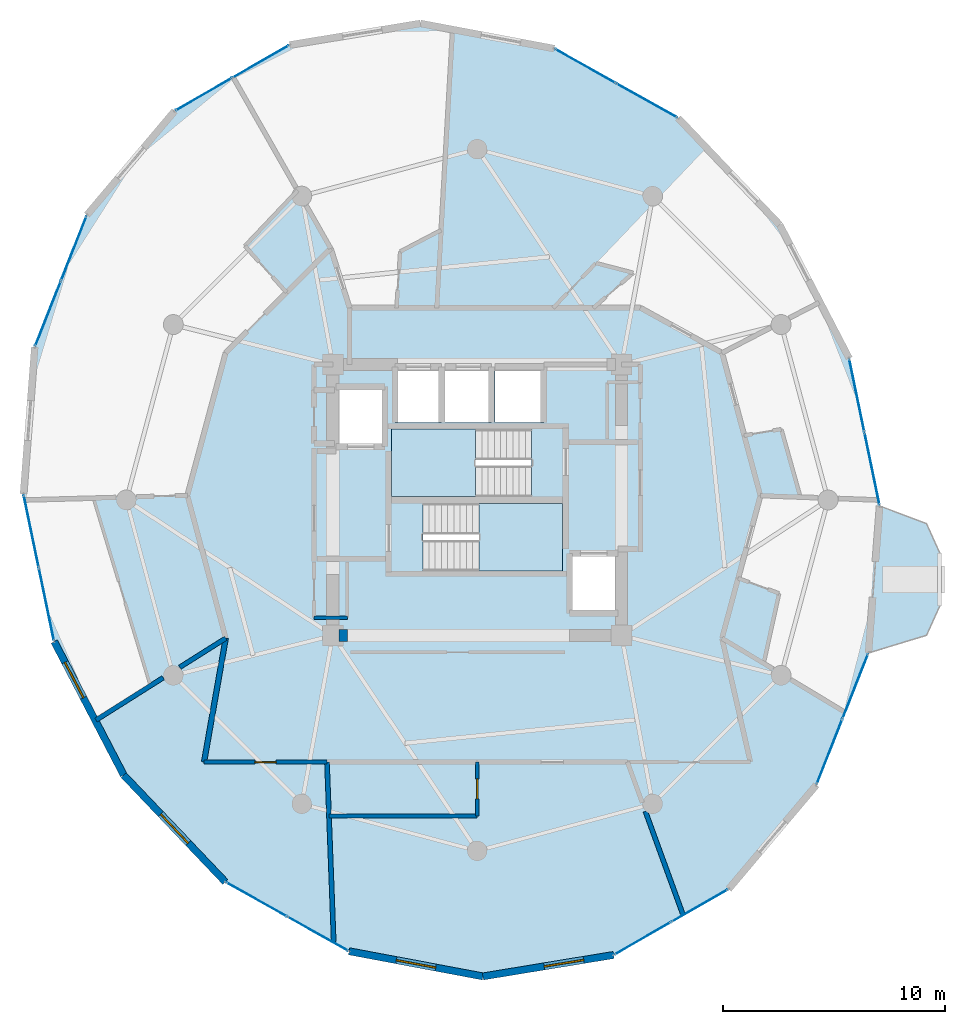
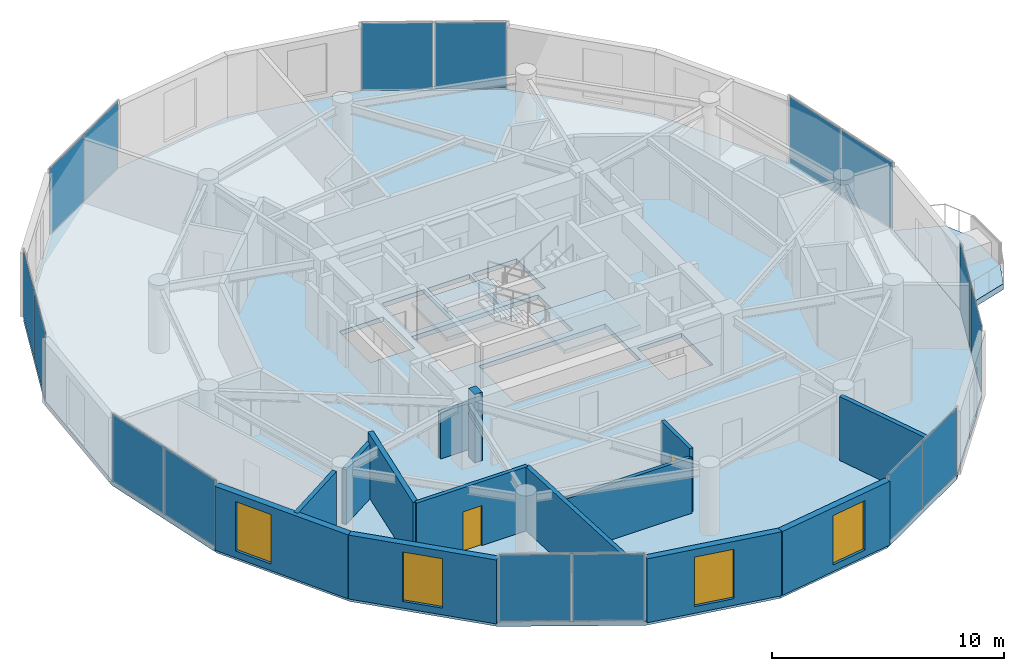
# One storey, part 16 of 21: 16 plates, 14 walls, 4 slabs, 4 windows, 2 doors, 6 openings, 10 elements without a shape of their own.
"""IFC4 building model written with IfcOpenShell, lengths in metres."""

from ifc_helpers import new_model, si_unit, direction, frame, frame_2d, origin, origin_2d, place, context, subcontext, project, spatial, polyline, rectangle, outline, extrude, source, transform, mapped, material, layer, layer_set, type_object, element, fill, aggregate, save


model = new_model("IFC4")

# Units and contexts
model_context = context("Model", 3, precision=1e-05, world=origin(), true_north=direction((0.0, 1.0)))
body_context = subcontext(model_context, "Body", "Model", "MODEL_VIEW")
ifc_project = project(units=[si_unit("LENGTHUNIT", "METRE"), si_unit("AREAUNIT", "SQUARE_METRE"), si_unit("VOLUMEUNIT", "CUBIC_METRE"), si_unit("PLANEANGLEUNIT", "RADIAN"), si_unit("MASSUNIT", "GRAM", prefix="KILO")], contexts=[model_context])

# Site, building, storey
site_placement = place(None, origin())
site = spatial("IfcSite", under=ifc_project, at=site_placement, CompositionType="ELEMENT")
building_placement = place(site_placement, origin())
building = spatial("IfcBuilding", under=site, at=building_placement, Name="Solvirekh Grand Hotel", CompositionType="ELEMENT")
storey_placement = place(building_placement, frame((0.0, 0.0, 220.0)))
storey = spatial("IfcBuildingStorey", under=building, at=storey_placement, Name="L57", CompositionType="ELEMENT", Elevation=220.0)

# Slab
ifc_material_1 = material(Name="Concrete C50/60", Category="concrete")
ifc_layer_1 = layer(ifc_material_1, 0.31005859375)
ifc_layer_set_1 = layer_set([ifc_layer_1], Name="Concrete C50/60")
slab_type_1 = type_object("IfcSlabType", Name="ExtHornSkyGarden_310", PredefinedType="FLOOR", material=ifc_layer_set_1)
slab_1_placement = place(storey_placement, frame((0.0, 0.0, -0.31005859375)))
element("IfcSlab", 1, at=slab_1_placement, inside=storey, type_object=slab_type_1, Name="L57 east horn sky-garden deck", PredefinedType="FLOOR", context=body_context, shape_type="SweptSolid", body=[
    extrude(outline(polyline([(18.1279296875, -0.27001953125), (17.618896484375, -6.886962890625), (20.22802734375, -6.093017578125), (20.827880859375, -4.77001953125), (20.827880859375, -2.386962890625), (20.22802734375, -1.06396484375), (18.1279296875, -0.27001953125)])), origin(), (0.0, 0.0, 1.0), 0.31005859375),
])

# Stair, slab
ifc_material_2 = material(Name="Concrete C40/50", Category="concrete")
stair_type = type_object("IfcStairType", Name="Stair_Core_1450", PredefinedType="HALF_TURN_STAIR", material=ifc_material_2)
stair_1_placement = place(storey_placement, origin())
stair_1 = element("IfcStair", 2, at=stair_1_placement, inside=storey, type_object=stair_type, Name="L57 Enclosed exit stair ST-1", PredefinedType="HALF_TURN_STAIR")
ifc_layer_2 = layer(ifc_material_2, 0.199951171875)
ifc_layer_set_2 = layer_set([ifc_layer_2], Name="Concrete C40/50")
slab_type_2 = type_object("IfcSlabType", Name="Landing_Stair_200", PredefinedType="LANDING", material=ifc_layer_set_2)
slab_2_placement = place(storey_placement, frame((0.0, 0.0, 1.60009765625)))
slab_2 = element("IfcSlab", 3, at=slab_2_placement, type_object=slab_type_2, Name="ST-1 landing 1", PredefinedType="LANDING", context=body_context, shape_type="SweptSolid", body=[
    extrude(outline(polyline([(0.070068359375, -3.199951171875), (3.85009765625, -3.199951171875), (3.85009765625, -0.14990234375), (0.070068359375, -0.14990234375), (0.070068359375, -3.199951171875)])), origin(), (0.0, 0.0, 1.0), 0.199951171875),
])
aggregate(stair_1, [slab_2])

stair_2_placement = place(storey_placement, origin())
stair_2 = element("IfcStair", 4, at=stair_2_placement, inside=storey, type_object=stair_type, Name="L57 Enclosed exit stair ST-2", PredefinedType="HALF_TURN_STAIR")
slab_3_placement = place(storey_placement, frame((0.0, 0.0, 1.60009765625)))
slab_3 = element("IfcSlab", 5, at=slab_3_placement, type_object=slab_type_2, Name="ST-2 landing 1", PredefinedType="LANDING", context=body_context, shape_type="SweptSolid", body=[
    extrude(outline(polyline([(-0.070068359375, 3.199951171875), (-3.85009765625, 3.199951171875), (-3.85009765625, 0.14990234375), (-0.070068359375, 0.14990234375), (-0.070068359375, 3.199951171875)])), origin(), (0.0, 0.0, 1.0), 0.199951171875),
])
aggregate(stair_2, [slab_3])

# Slab
ifc_layer_3 = layer(ifc_material_2, 0.239990234375)
ifc_layer_set_3 = layer_set([ifc_layer_3], Name="Concrete C40/50")
slab_type_3 = type_object("IfcSlabType", Name="Slab_GuestZ3_240", PredefinedType="FLOOR", material=ifc_layer_set_3)
slab_4_placement = place(storey_placement, frame((0.0, 0.0, -0.239990234375)))
element("IfcSlab", 6, at=slab_4_placement, inside=storey, type_object=slab_type_3, Name="L57 structural floor slab", PredefinedType="FLOOR", context=body_context, shape_type="SweptSolid", body=[
    extrude(outline(polyline([(6.14599609375, -20.489990234375), (11.320068359375, -17.51708984375), (15.27294921875, -12.830078125), (17.618896484375, -6.886962890625), (18.1279296875, -0.27001953125), (16.7490234375, 6.3740234375), (13.617919921875, 12.39306640625), (9.0419921875, 17.199951171875), (3.468017578125, 20.322998046875), (-2.55810546875, 21.4560546875), (-8.446044921875, 20.489990234375), (-13.6201171875, 17.51708984375), (-17.572998046875, 12.830078125), (-19.9189453125, 6.886962890625), (-20.427978515625, 0.27001953125), (-19.049072265625, -6.3740234375), (-15.91796875, -12.39306640625), (-11.342041015625, -17.199951171875), (-5.76806640625, -20.322998046875), (0.258056640625, -21.4560546875), (6.14599609375, -20.489990234375)]), holes=[polyline([(-2.444091796875, -0.14990234375), (3.85009765625, -0.14990234375), (3.85009765625, -3.199951171875), (-2.444091796875, -3.199951171875), (-2.444091796875, -0.14990234375)]), polyline([(2.444091796875, 0.14990234375), (-3.85009765625, 0.14990234375), (-3.85009765625, 3.199951171875), (2.444091796875, 3.199951171875), (2.444091796875, 0.14990234375)]), polyline([(-3.699951171875, 6.0), (-1.60009765625, 6.0), (-1.60009765625, 3.5), (-3.699951171875, 3.5), (-3.699951171875, 6.0)]), polyline([(-1.449951171875, 6.0), (0.64990234375, 6.0), (0.64990234375, 3.5), (-1.449951171875, 3.5), (-1.449951171875, 6.0)]), polyline([(0.800048828125, 6.0), (3.0, 6.0), (3.0, 3.5), (0.800048828125, 3.5), (0.800048828125, 6.0)]), polyline([(-6.35009765625, 5.10009765625), (-4.14990234375, 5.10009765625), (-4.14990234375, 2.39990234375), (-6.35009765625, 2.39990234375), (-6.35009765625, 5.10009765625)]), polyline([(4.14990234375, -2.39990234375), (6.35009765625, -2.39990234375), (6.35009765625, -5.10009765625), (4.14990234375, -5.10009765625), (4.14990234375, -2.39990234375)])]), origin(), (0.0, 0.0, 1.0), 0.239990234375),
])

# Curtain wall, plates
ifc_material_3 = material(Name="Anodized Bronze Aluminium 6063-T6", Category="aluminium")
ifc_layer_4 = layer(ifc_material_3, 0.159912109375)
ifc_layer_set_4 = layer_set([ifc_layer_4], Name="Anodized Bronze Aluminium 6063-T6")
curtain_wall_type = type_object("IfcCurtainWallType", Name="CW_Sys4_HighZoneFlushBronzeCW", PredefinedType="NOTDEFINED", material=ifc_layer_set_4)
curtain_wall_1_placement = place(storey_placement, origin())
curtain_wall_1 = element("IfcCurtainWall", 7, at=curtain_wall_1_placement, inside=storey, type_object=curtain_wall_type, Name="L57 unitised bronze-glass curtain wall CW-L57-C03", PredefinedType="NOTDEFINED")
ifc_material_4 = material(Name="Low-E Tinted Bronze Laminated Glass", Category="aluminium")
ifc_layer_5 = layer(ifc_material_4, 0.033935546875)
ifc_layer_set_5 = layer_set([ifc_layer_5], Name="Low-E Tinted Bronze Laminated Glass")
plate_type = type_object("IfcPlateType", Name="CWPanel_High_34", PredefinedType="CURTAIN_PANEL", material=ifc_layer_set_5)
shared_shape_1 = source(origin(), body_context, "Body", "SweptSolid", [
    extrude(rectangle(XDim=3.104736328125, YDim=0.033935546875, at=origin_2d()), origin(), (0.0, 0.0, 1.0), 3.489990234375),
])
plate_1_placement = place(storey_placement, frame((15.864990234375, -11.330322265625, 0.05517578125), z_axis=(0.0, 0.0, 1.0), x_axis=(0.367177225165, 0.930151001354, 0.0)))
plate_1 = element("IfcPlate", 8, at=plate_1_placement, type_object=plate_type, Name="U04 panel 1.1", PredefinedType="CURTAIN_PANEL", context=body_context, shape_type="MappedRepresentation", body=[
    mapped(shared_shape_1, transform((0.0, 0.0, 0.0), x_axis=(1.0, 0.0, 0.0), y_axis=(0.0, 1.0, 0.0), z_axis=(0.0, 0.0, 1.0), scale=1.0)),
])
plate_2_placement = place(storey_placement, frame((17.027099609375, -8.38671875, 0.05517578125), z_axis=(0.0, 0.0, 1.0), x_axis=(0.367177225165, 0.930151001354, 0.0)))
plate_2 = element("IfcPlate", 9, at=plate_2_placement, type_object=plate_type, Name="U04 panel 2.1", PredefinedType="CURTAIN_PANEL", context=body_context, shape_type="MappedRepresentation", body=[
    mapped(shared_shape_1, transform((0.0, 0.0, 0.0), x_axis=(1.0, 0.0, 0.0), y_axis=(0.0, 1.0, 0.0), z_axis=(0.0, 0.0, 1.0), scale=1.0)),
])
aggregate(curtain_wall_1, [plate_1, plate_2])

curtain_wall_2_placement = place(storey_placement, origin())
curtain_wall_2 = element("IfcCurtainWall", 10, at=curtain_wall_2_placement, inside=storey, type_object=curtain_wall_type, Name="L57 unitised bronze-glass curtain wall CW-L57-C08", PredefinedType="NOTDEFINED")
plate_3_placement = place(storey_placement, frame((7.635498046875, 17.988037109375, 0.05517578125), z_axis=(0.0, 0.0, 1.0), x_axis=(-0.87240190852, 0.488789228615, 0.0)))
plate_3 = element("IfcPlate", 11, at=plate_3_placement, type_object=plate_type, Name="U04 panel 1.1", PredefinedType="CURTAIN_PANEL", context=body_context, shape_type="MappedRepresentation", body=[
    mapped(shared_shape_1, transform((0.0, 0.0, 0.0), x_axis=(1.0, 0.0, 0.0), y_axis=(0.0, 1.0, 0.0), z_axis=(0.0, 0.0, 1.0), scale=1.0)),
])
plate_4_placement = place(storey_placement, frame((4.87451171875, 19.534912109375, 0.05517578125), z_axis=(0.0, 0.0, 1.0), x_axis=(-0.87240190852, 0.488789228615, 0.0)))
plate_4 = element("IfcPlate", 12, at=plate_4_placement, type_object=plate_type, Name="U04 panel 2.1", PredefinedType="CURTAIN_PANEL", context=body_context, shape_type="MappedRepresentation", body=[
    mapped(shared_shape_1, transform((0.0, 0.0, 0.0), x_axis=(1.0, 0.0, 0.0), y_axis=(0.0, 1.0, 0.0), z_axis=(0.0, 0.0, 1.0), scale=1.0)),
])
aggregate(curtain_wall_2, [plate_3, plate_4])

curtain_wall_3_placement = place(storey_placement, origin())
curtain_wall_3 = element("IfcCurtainWall", 13, at=curtain_wall_3_placement, inside=storey, type_object=curtain_wall_type, Name="L57 unitised bronze-glass curtain wall CW-L57-C13", PredefinedType="NOTDEFINED")
plate_5_placement = place(storey_placement, frame((-18.1650390625, 11.330322265625, 0.05517578125), z_axis=(0.0, 0.0, 1.0), x_axis=(-0.367177225165, -0.930151001354, 0.0)))
plate_5 = element("IfcPlate", 14, at=plate_5_placement, type_object=plate_type, Name="U04 panel 1.1", PredefinedType="CURTAIN_PANEL", context=body_context, shape_type="MappedRepresentation", body=[
    mapped(shared_shape_1, transform((0.0, 0.0, 0.0), x_axis=(1.0, 0.0, 0.0), y_axis=(0.0, 1.0, 0.0), z_axis=(0.0, 0.0, 1.0), scale=1.0)),
])
plate_6_placement = place(storey_placement, frame((-19.326904296875, 8.38671875, 0.05517578125), z_axis=(0.0, 0.0, 1.0), x_axis=(-0.367177225165, -0.930151001354, 0.0)))
plate_6 = element("IfcPlate", 15, at=plate_6_placement, type_object=plate_type, Name="U04 panel 2.1", PredefinedType="CURTAIN_PANEL", context=body_context, shape_type="MappedRepresentation", body=[
    mapped(shared_shape_1, transform((0.0, 0.0, 0.0), x_axis=(1.0, 0.0, 0.0), y_axis=(0.0, 1.0, 0.0), z_axis=(0.0, 0.0, 1.0), scale=1.0)),
])
aggregate(curtain_wall_3, [plate_5, plate_6])

curtain_wall_4_placement = place(storey_placement, origin())
curtain_wall_4 = element("IfcCurtainWall", 16, at=curtain_wall_4_placement, inside=storey, type_object=curtain_wall_type, Name="L57 unitised bronze-glass curtain wall CW-L57-C18", PredefinedType="NOTDEFINED")
plate_7_placement = place(storey_placement, frame((-9.935302734375, -17.988037109375, 0.05517578125), z_axis=(0.0, 0.0, 1.0), x_axis=(0.87240190852, -0.488789228615, 0.0)))
plate_7 = element("IfcPlate", 17, at=plate_7_placement, type_object=plate_type, Name="U04 panel 1.1", PredefinedType="CURTAIN_PANEL", context=body_context, shape_type="MappedRepresentation", body=[
    mapped(shared_shape_1, transform((0.0, 0.0, 0.0), x_axis=(1.0, 0.0, 0.0), y_axis=(0.0, 1.0, 0.0), z_axis=(0.0, 0.0, 1.0), scale=1.0)),
])
plate_8_placement = place(storey_placement, frame((-7.174560546875, -19.534912109375, 0.05517578125), z_axis=(0.0, 0.0, 1.0), x_axis=(0.87240190852, -0.488789228615, 0.0)))
plate_8 = element("IfcPlate", 18, at=plate_8_placement, type_object=plate_type, Name="U04 panel 2.1", PredefinedType="CURTAIN_PANEL", context=body_context, shape_type="MappedRepresentation", body=[
    mapped(shared_shape_1, transform((0.0, 0.0, 0.0), x_axis=(1.0, 0.0, 0.0), y_axis=(0.0, 1.0, 0.0), z_axis=(0.0, 0.0, 1.0), scale=1.0)),
])
aggregate(curtain_wall_4, [plate_7, plate_8])

curtain_wall_5_placement = place(storey_placement, origin())
curtain_wall_5 = element("IfcCurtainWall", 19, at=curtain_wall_5_placement, inside=storey, type_object=curtain_wall_type, Name="L57 unitised bronze-glass curtain wall CW-L57-C01", PredefinedType="NOTDEFINED")
shared_shape_2 = source(origin(), body_context, "Body", "SweptSolid", [
    extrude(rectangle(XDim=2.8935546875, YDim=0.033935546875, at=origin_2d()), origin(), (0.0, 0.0, 1.0), 3.489990234375),
])
plate_9_placement = place(storey_placement, frame((7.452392578125, -19.7392578125, 0.05517578125), z_axis=(0.0, 0.0, 1.0), x_axis=(0.867054716632, 0.498212924727, 0.0)))
plate_9 = element("IfcPlate", 20, at=plate_9_placement, type_object=plate_type, Name="U04 panel 1.1", PredefinedType="CURTAIN_PANEL", context=body_context, shape_type="MappedRepresentation", body=[
    mapped(shared_shape_2, transform((0.0, 0.0, 0.0), x_axis=(1.0, 0.0, 0.0), y_axis=(0.0, 1.0, 0.0), z_axis=(0.0, 0.0, 1.0), scale=1.0)),
])
plate_10_placement = place(storey_placement, frame((10.013427734375, -18.267822265625, 0.05517578125), z_axis=(0.0, 0.0, 1.0), x_axis=(0.867054716632, 0.498212924727, 0.0)))
plate_10 = element("IfcPlate", 21, at=plate_10_placement, type_object=plate_type, Name="U04 panel 2.1", PredefinedType="CURTAIN_PANEL", context=body_context, shape_type="MappedRepresentation", body=[
    mapped(shared_shape_2, transform((0.0, 0.0, 0.0), x_axis=(1.0, 0.0, 0.0), y_axis=(0.0, 1.0, 0.0), z_axis=(0.0, 0.0, 1.0), scale=1.0)),
])
aggregate(curtain_wall_5, [plate_9, plate_10])

curtain_wall_6_placement = place(storey_placement, origin())
curtain_wall_6 = element("IfcCurtainWall", 22, at=curtain_wall_6_placement, inside=storey, type_object=curtain_wall_type, Name="L57 unitised bronze-glass curtain wall CW-L57-C11", PredefinedType="NOTDEFINED")
plate_11_placement = place(storey_placement, frame((-9.75244140625, 19.7392578125, 0.05517578125), z_axis=(0.0, 0.0, 1.0), x_axis=(-0.867054716632, -0.498212924727, 0.0)))
plate_11 = element("IfcPlate", 23, at=plate_11_placement, type_object=plate_type, Name="U04 panel 1.1", PredefinedType="CURTAIN_PANEL", context=body_context, shape_type="MappedRepresentation", body=[
    mapped(shared_shape_2, transform((0.0, 0.0, 0.0), x_axis=(1.0, 0.0, 0.0), y_axis=(0.0, 1.0, 0.0), z_axis=(0.0, 0.0, 1.0), scale=1.0)),
])
plate_12_placement = place(storey_placement, frame((-12.3134765625, 18.267822265625, 0.05517578125), z_axis=(0.0, 0.0, 1.0), x_axis=(-0.867054716632, -0.498212924727, 0.0)))
plate_12 = element("IfcPlate", 24, at=plate_12_placement, type_object=plate_type, Name="U04 panel 2.1", PredefinedType="CURTAIN_PANEL", context=body_context, shape_type="MappedRepresentation", body=[
    mapped(shared_shape_2, transform((0.0, 0.0, 0.0), x_axis=(1.0, 0.0, 0.0), y_axis=(0.0, 1.0, 0.0), z_axis=(0.0, 0.0, 1.0), scale=1.0)),
])
aggregate(curtain_wall_6, [plate_11, plate_12])

curtain_wall_7_placement = place(storey_placement, origin())
curtain_wall_7 = element("IfcCurtainWall", 25, at=curtain_wall_7_placement, inside=storey, type_object=curtain_wall_type, Name="L57 unitised bronze-glass curtain wall CW-L57-C05", PredefinedType="NOTDEFINED")
shared_shape_3 = source(origin(), body_context, "Body", "SweptSolid", [
    extrude(rectangle(XDim=3.302734375, YDim=0.033935546875, at=origin_2d()), origin(), (0.0, 0.0, 1.0), 3.489990234375),
])
plate_13_placement = place(storey_placement, frame((17.7802734375, 1.40576171875, 0.05517578125), z_axis=(0.0, 0.0, 1.0), x_axis=(-0.203224454082, 0.979132177626, 0.0)))
plate_13 = element("IfcPlate", 26, at=plate_13_placement, type_object=plate_type, Name="U04 panel 1.1", PredefinedType="CURTAIN_PANEL", context=body_context, shape_type="MappedRepresentation", body=[
    mapped(shared_shape_3, transform((0.0, 0.0, 0.0), x_axis=(1.0, 0.0, 0.0), y_axis=(0.0, 1.0, 0.0), z_axis=(0.0, 0.0, 1.0), scale=1.0)),
])
plate_14_placement = place(storey_placement, frame((17.0966796875, 4.6982421875, 0.05517578125), z_axis=(0.0, 0.0, 1.0), x_axis=(-0.203224454082, 0.979132177626, 0.0)))
plate_14 = element("IfcPlate", 27, at=plate_14_placement, type_object=plate_type, Name="U04 panel 2.1", PredefinedType="CURTAIN_PANEL", context=body_context, shape_type="MappedRepresentation", body=[
    mapped(shared_shape_3, transform((0.0, 0.0, 0.0), x_axis=(1.0, 0.0, 0.0), y_axis=(0.0, 1.0, 0.0), z_axis=(0.0, 0.0, 1.0), scale=1.0)),
])
aggregate(curtain_wall_7, [plate_13, plate_14])

curtain_wall_8_placement = place(storey_placement, origin())
curtain_wall_8 = element("IfcCurtainWall", 28, at=curtain_wall_8_placement, inside=storey, type_object=curtain_wall_type, Name="L57 unitised bronze-glass curtain wall CW-L57-C15", PredefinedType="NOTDEFINED")
plate_15_placement = place(storey_placement, frame((-20.080322265625, -1.40576171875, 0.05517578125), z_axis=(0.0, 0.0, 1.0), x_axis=(0.203224454082, -0.979132177626, 0.0)))
plate_15 = element("IfcPlate", 29, at=plate_15_placement, type_object=plate_type, Name="U04 panel 1.1", PredefinedType="CURTAIN_PANEL", context=body_context, shape_type="MappedRepresentation", body=[
    mapped(shared_shape_3, transform((0.0, 0.0, 0.0), x_axis=(1.0, 0.0, 0.0), y_axis=(0.0, 1.0, 0.0), z_axis=(0.0, 0.0, 1.0), scale=1.0)),
])
plate_16_placement = place(storey_placement, frame((-19.396728515625, -4.6982421875, 0.05517578125), z_axis=(0.0, 0.0, 1.0), x_axis=(0.203224454082, -0.979132177626, 0.0)))
plate_16 = element("IfcPlate", 30, at=plate_16_placement, type_object=plate_type, Name="U04 panel 2.1", PredefinedType="CURTAIN_PANEL", context=body_context, shape_type="MappedRepresentation", body=[
    mapped(shared_shape_3, transform((0.0, 0.0, 0.0), x_axis=(1.0, 0.0, 0.0), y_axis=(0.0, 1.0, 0.0), z_axis=(0.0, 0.0, 1.0), scale=1.0)),
])
aggregate(curtain_wall_8, [plate_15, plate_16])

# Wall
ifc_layer_6 = layer(ifc_material_1, 0.550048828125)
ifc_layer_set_6 = layer_set([ifc_layer_6], Name="Concrete C50/60")
wall_type_1 = type_object("IfcWallType", Name="CoreWall_RC550", PredefinedType="SHEAR", material=ifc_layer_set_6)
wall_1_placement = place(storey_placement, frame((-6.22509765625, -6.10009765625, 0.0), z_axis=(0.0, 0.0, 1.0), x_axis=(1.0, 0.0, 0.0)))
element("IfcWall", 31, at=wall_1_placement, inside=storey, type_object=wall_type_1, Name="L57 core corner shear wall SW-S", PredefinedType="SHEAR", context=body_context, shape_type="SweptSolid", body=[
    extrude(rectangle(XDim=0.375, YDim=0.550048828125, at=frame_2d((0.1875, 0.0))), origin(), (0.0, 0.0, 1.0), 3.60009765625),
])

# Wall, opening, window
ifc_material_5 = material(Name="Precast concrete C45/55", Category="concrete")
ifc_layer_7 = layer(ifc_material_5, 0.320068359375)
ifc_layer_set_7 = layer_set([ifc_layer_7], Name="Precast concrete C45/55")
wall_type_2 = type_object("IfcWallType", Name="ExtLobbyWall_RC320", PredefinedType="SOLIDWALL", material=ifc_layer_set_7)
wall_2_placement = place(storey_placement, frame((-15.91796875, -12.39306640625, 0.0), z_axis=(0.0, 0.0, 1.0), x_axis=(-0.461492088822, 0.887144324197, 0.0)))
wall_2 = element("IfcWall", 32, at=wall_2_placement, inside=storey, type_object=wall_type_2, Name="L57 exterior structural wall chord 16", PredefinedType="SOLIDWALL", context=body_context, shape_type="SweptSolid", body=[
    extrude(rectangle(XDim=6.78466796875, YDim=0.320068359375, at=frame_2d((3.392333984375, 0.0))), origin(), (0.0, 0.0, 1.0), 3.360107421875),
])
opening_1_placement = place(wall_2_placement, frame((3.930908203125, 0.0, 0.35009765625)))
opening_1 = element("IfcOpeningElement", 33, at=opening_1_placement, cuts=wall_2, Name="Opening W02", PredefinedType="OPENING", context=body_context, shape_type="SweptSolid", body=[
    extrude(rectangle(XDim=1.800048828125, YDim=2.60009765625, at=frame_2d((0.89990234375, 1.300048828125))), frame((0.0, 0.169921875, 0.0), z_axis=(0.0, -1.0, 0.0), x_axis=(1.0, 0.0, 0.0)), (0.0, 0.0, 1.0), 0.340087890625),
])
window_type = type_object("IfcWindowType", Name="Win_LobbyExt_1800X2600", PartitioningType="SINGLE_PANEL", PredefinedType="WINDOW", material=ifc_material_4)
window_1_placement = place(opening_1_placement, origin())
window_1 = element("IfcWindow", 34, at=window_1_placement, inside=storey, type_object=window_type, Name="L57 panoramic bronze-framed window 16", OverallHeight=2.60009765625, OverallWidth=1.800048828125, PartitioningType="SINGLE_PANEL", PredefinedType="WINDOW", context=body_context, shape_type="SweptSolid", body=[
    extrude(rectangle(XDim=1.800048828125, YDim=2.60009765625, at=frame_2d((0.89990234375, 1.300048828125))), frame((0.0, 0.030029296875, 0.0), z_axis=(0.0, -1.0, 0.0), x_axis=(1.0, 0.0, 0.0)), (0.0, 0.0, 1.0), 0.06005859375),
])
fill(opening_1, window_1)

wall_3_placement = place(storey_placement, frame((-11.342041015625, -17.199951171875, 0.0), z_axis=(0.0, 0.0, 1.0), x_axis=(-0.689492567569, 0.724292757983, 0.0)))
wall_3 = element("IfcWall", 35, at=wall_3_placement, inside=storey, type_object=wall_type_2, Name="L57 exterior structural wall chord 17", PredefinedType="SOLIDWALL", context=body_context, shape_type="SweptSolid", body=[
    extrude(rectangle(XDim=6.63671875, YDim=0.320068359375, at=frame_2d((3.318359375, 0.0))), origin(), (0.0, 0.0, 1.0), 3.360107421875),
])
opening_2_placement = place(wall_3_placement, frame((2.41796875, 0.0, 0.35009765625)))
opening_2 = element("IfcOpeningElement", 36, at=opening_2_placement, cuts=wall_3, Name="Opening W02", PredefinedType="OPENING", context=body_context, shape_type="SweptSolid", body=[
    extrude(rectangle(XDim=1.800048828125, YDim=2.60009765625, at=frame_2d((0.89990234375, 1.300048828125))), frame((0.0, 0.169921875, 0.0), z_axis=(0.0, -1.0, 0.0), x_axis=(1.0, 0.0, 0.0)), (0.0, 0.0, 1.0), 0.340087890625),
])
window_2_placement = place(opening_2_placement, origin())
window_2 = element("IfcWindow", 37, at=window_2_placement, inside=storey, type_object=window_type, Name="L57 panoramic bronze-framed window 17", OverallHeight=2.60009765625, OverallWidth=1.800048828125, PartitioningType="SINGLE_PANEL", PredefinedType="WINDOW", context=body_context, shape_type="SweptSolid", body=[
    extrude(rectangle(XDim=1.800048828125, YDim=2.60009765625, at=frame_2d((0.89990234375, 1.300048828125))), frame((0.0, 0.030029296875, 0.0), z_axis=(0.0, -1.0, 0.0), x_axis=(1.0, 0.0, 0.0)), (0.0, 0.0, 1.0), 0.06005859375),
])
fill(opening_2, window_2)

wall_4_placement = place(storey_placement, frame((0.258056640625, -21.4560546875, 0.0), z_axis=(0.0, 0.0, 1.0), x_axis=(-0.982778756256, 0.184786136523, 0.0)))
wall_4 = element("IfcWall", 38, at=wall_4_placement, inside=storey, type_object=wall_type_2, Name="L57 exterior structural wall chord 19", PredefinedType="SOLIDWALL", context=body_context, shape_type="SweptSolid", body=[
    extrude(rectangle(XDim=6.1318359375, YDim=0.320068359375, at=frame_2d((3.06591796875, 0.0))), origin(), (0.0, 0.0, 1.0), 3.360107421875),
])
opening_3_placement = place(wall_4_placement, frame((2.166015625, 0.0, 0.35009765625)))
opening_3 = element("IfcOpeningElement", 39, at=opening_3_placement, cuts=wall_4, Name="Opening W02", PredefinedType="OPENING", context=body_context, shape_type="SweptSolid", body=[
    extrude(rectangle(XDim=1.800048828125, YDim=2.60009765625, at=frame_2d((0.89990234375, 1.300048828125))), frame((0.0, 0.169921875, 0.0), z_axis=(0.0, -1.0, 0.0), x_axis=(1.0, 0.0, 0.0)), (0.0, 0.0, 1.0), 0.340087890625),
])
window_3_placement = place(opening_3_placement, origin())
window_3 = element("IfcWindow", 40, at=window_3_placement, inside=storey, type_object=window_type, Name="L57 panoramic bronze-framed window 19", OverallHeight=2.60009765625, OverallWidth=1.800048828125, PartitioningType="SINGLE_PANEL", PredefinedType="WINDOW", context=body_context, shape_type="SweptSolid", body=[
    extrude(rectangle(XDim=1.800048828125, YDim=2.60009765625, at=frame_2d((0.89990234375, 1.300048828125))), frame((0.0, 0.030029296875, 0.0), z_axis=(0.0, -1.0, 0.0), x_axis=(1.0, 0.0, 0.0)), (0.0, 0.0, 1.0), 0.06005859375),
])
fill(opening_3, window_3)

wall_5_placement = place(storey_placement, frame((6.14599609375, -20.489990234375, 0.0), z_axis=(0.0, 0.0, 1.0), x_axis=(-0.986805489114, -0.161910242585, 0.0)))
wall_5 = element("IfcWall", 41, at=wall_5_placement, inside=storey, type_object=wall_type_2, Name="L57 exterior structural wall chord 20", PredefinedType="SOLIDWALL", context=body_context, shape_type="SweptSolid", body=[
    extrude(rectangle(XDim=5.966552734375, YDim=0.320068359375, at=frame_2d((2.9833984375, 0.0))), origin(), (0.0, 0.0, 1.0), 3.360107421875),
])
opening_4_placement = place(wall_5_placement, frame((1.3720703125, 0.0, 0.35009765625)))
opening_4 = element("IfcOpeningElement", 42, at=opening_4_placement, cuts=wall_5, Name="Opening W02", PredefinedType="OPENING", context=body_context, shape_type="SweptSolid", body=[
    extrude(rectangle(XDim=1.800048828125, YDim=2.60009765625, at=frame_2d((0.89990234375, 1.300048828125))), frame((0.0, 0.169921875, 0.0), z_axis=(0.0, -1.0, 0.0), x_axis=(1.0, 0.0, 0.0)), (0.0, 0.0, 1.0), 0.340087890625),
])
window_4_placement = place(opening_4_placement, origin())
window_4 = element("IfcWindow", 43, at=window_4_placement, inside=storey, type_object=window_type, Name="L57 panoramic bronze-framed window 20", OverallHeight=2.60009765625, OverallWidth=1.800048828125, PartitioningType="SINGLE_PANEL", PredefinedType="WINDOW", context=body_context, shape_type="SweptSolid", body=[
    extrude(rectangle(XDim=1.800048828125, YDim=2.60009765625, at=frame_2d((0.89990234375, 1.300048828125))), frame((0.0, 0.030029296875, 0.0), z_axis=(0.0, -1.0, 0.0), x_axis=(1.0, 0.0, 0.0)), (0.0, 0.0, 1.0), 0.06005859375),
])
fill(opening_4, window_4)

# Walls
ifc_material_6 = material(Name="Acoustic Gypsum Partition Assembly")
ifc_layer_8 = layer(ifc_material_6, 0.1650390625)
ifc_layer_set_8 = layer_set([ifc_layer_8], Name="Acoustic Gypsum Partition Assembly")
wall_type_3 = type_object("IfcWallType", Name="Part_BOH_165", PredefinedType="PARTITIONING", material=ifc_layer_set_8)
wall_6_placement = place(storey_placement, frame((-7.35009765625, -5.300048828125, 0.0), z_axis=(0.0, 0.0, 1.0), x_axis=(1.0, 0.0, 0.0)))
element("IfcWall", 44, at=wall_6_placement, inside=storey, type_object=wall_type_3, Name="L57 L57 Core Linen Store wall 1", PredefinedType="PARTITIONING", context=body_context, shape_type="SweptSolid", body=[
    extrude(rectangle(XDim=1.5, YDim=0.1650390625, at=frame_2d((0.75, 0.0))), origin(), (0.0, 0.0, 1.0), 2.445068359375),
])
ifc_layer_9 = layer(ifc_material_6, 0.239990234375)
ifc_layer_set_9 = layer_set([ifc_layer_9], Name="Acoustic Gypsum Partition Assembly")
wall_type_4 = type_object("IfcWallType", Name="Part_Corridor_240", PredefinedType="PARTITIONING", material=ifc_layer_set_9)
wall_7_placement = place(storey_placement, frame((-11.322021484375, -6.22509765625, 0.0), z_axis=(0.0, 0.0, 1.0), x_axis=(-0.172793604918, -0.984958054995, 0.0)))
element("IfcWall", 45, at=wall_7_placement, inside=storey, type_object=wall_type_4, Name="L57 L57 Meditation Studio corridor wall 1", PredefinedType="PARTITIONING", context=body_context, shape_type="SweptSolid", body=[
    extrude(rectangle(XDim=5.66015625, YDim=0.239990234375, at=frame_2d((2.830078125, 0.0))), origin(), (0.0, 0.0, 1.0), 3.360107421875),
])

# Wall, opening, door
ifc_layer_10 = layer(ifc_material_6, 0.18994140625)
ifc_layer_set_10 = layer_set([ifc_layer_10], Name="Acoustic Gypsum Partition Assembly")
wall_type_5 = type_object("IfcWallType", Name="Part_GuestDemise_190", PredefinedType="PARTITIONING", material=ifc_layer_set_10)
wall_8_placement = place(storey_placement, frame((-12.300048828125, -11.800048828125, 0.0), z_axis=(0.0, 0.0, 1.0), x_axis=(1.0, 0.0, 0.0)))
wall_8 = element("IfcWall", 46, at=wall_8_placement, inside=storey, type_object=wall_type_5, Name="L57 L57 Meditation Studio entrance wall", PredefinedType="PARTITIONING", context=body_context, shape_type="SweptSolid", body=[
    extrude(rectangle(XDim=5.53515625, YDim=0.18994140625, at=frame_2d((2.767578125, 0.0))), origin(), (0.0, 0.0, 1.0), 3.360107421875),
])
opening_5_placement = place(wall_8_placement, frame((2.29296875, 0.0, 0.0)))
opening_5 = element("IfcOpeningElement", 47, at=opening_5_placement, cuts=wall_8, Name="Opening D10", PredefinedType="OPENING", context=body_context, shape_type="SweptSolid", body=[
    extrude(rectangle(XDim=0.949951171875, YDim=2.10009765625, at=frame_2d((0.47509765625, 1.050048828125))), frame((0.0, 0.10498046875, 0.0), z_axis=(0.0, -1.0, 0.0), x_axis=(1.0, 0.0, 0.0)), (0.0, 0.0, 1.0), 0.2099609375),
])
door_type_1 = type_object("IfcDoorType", Name="Door_RoomInt_950X2100", OperationType="NOTDEFINED", PredefinedType="DOOR", material=ifc_material_3)
door_1_placement = place(opening_5_placement, origin())
door_1 = element("IfcDoor", 48, at=door_1_placement, inside=storey, type_object=door_type_1, Name="L57 L57 Meditation Studio entrance door", OperationType="SINGLE_SWING_LEFT", OverallHeight=2.10009765625, OverallWidth=0.949951171875, PredefinedType="DOOR", context=body_context, shape_type="SweptSolid", body=[
    extrude(rectangle(XDim=0.949951171875, YDim=2.10009765625, at=frame_2d((0.47509765625, 1.050048828125))), frame((0.0, 0.02490234375, 0.0), z_axis=(0.0, -1.0, 0.0), x_axis=(1.0, 0.0, 0.0)), (0.0, 0.0, 1.0), 0.050048828125),
])
fill(opening_5, door_1)

# Walls
ifc_layer_11 = layer(ifc_material_6, 0.2099609375)
ifc_layer_set_11 = layer_set([ifc_layer_11], Name="Acoustic Gypsum Partition Assembly")
wall_type_6 = type_object("IfcWallType", Name="Part_SuiteDemise_210", PredefinedType="PARTITIONING", material=ifc_layer_set_11)
wall_9_placement = place(storey_placement, frame((-11.322021484375, -6.22509765625, 0.0), z_axis=(0.0, 0.0, 1.0), x_axis=(-0.84576610913, -0.533553829194, 0.0)))
element("IfcWall", 49, at=wall_9_placement, inside=storey, type_object=wall_type_6, Name="L57 suite radial wall 8 (A)", PredefinedType="PARTITIONING", context=body_context, shape_type="SweptSolid", body=[
    extrude(rectangle(XDim=2.447509765625, YDim=0.2099609375, at=frame_2d((1.2236328125, 0.0))), origin(), (0.0, 0.0, 1.0), 2.876953125),
])
wall_10_placement = place(storey_placement, frame((-14.14208984375, -8.0029296875, 0.0), z_axis=(0.0, 0.0, 1.0), x_axis=(-0.845772830834, -0.533543174095, 0.0)))
element("IfcWall", 50, at=wall_10_placement, inside=storey, type_object=wall_type_6, Name="L57 suite radial wall 8 (B)", PredefinedType="PARTITIONING", context=body_context, shape_type="SweptSolid", body=[
    extrude(rectangle(XDim=3.57421875, YDim=0.2099609375, at=frame_2d((1.787109375, 0.0))), origin(), (0.0, 0.0, 1.0), 3.360107421875),
])
wall_11_placement = place(storey_placement, frame((-6.764892578125, -11.800048828125, 0.0), z_axis=(0.0, 0.0, 1.0), x_axis=(0.037429988299, -0.999299252464, 0.0)))
element("IfcWall", 51, at=wall_11_placement, inside=storey, type_object=wall_type_6, Name="L57 L57 Meditation Studio dividing partition 1", PredefinedType="PARTITIONING", context=body_context, shape_type="SweptSolid", body=[
    extrude(rectangle(XDim=8.094482421875, YDim=0.2099609375, at=frame_2d((4.04736328125, 0.0))), origin(), (0.0, 0.0, 1.0), 3.360107421875),
])
wall_12_placement = place(storey_placement, frame((7.572998046875, -14.02099609375, 0.0), z_axis=(0.0, 0.0, 1.0), x_axis=(0.342084883254, -0.939669054854, 0.0)))
element("IfcWall", 52, at=wall_12_placement, inside=storey, type_object=wall_type_6, Name="L57 Deluxe Guestroom 5906 dividing partition 1 (B)", PredefinedType="PARTITIONING", context=body_context, shape_type="SweptSolid", body=[
    extrude(rectangle(XDim=4.931640625, YDim=0.2099609375, at=frame_2d((2.4658203125, 0.0))), origin(), (0.0, 0.0, 1.0), 3.360107421875),
])
ifc_layer_12 = layer(ifc_material_6, 0.175048828125)
ifc_layer_set_12 = layer_set([ifc_layer_12], Name="Acoustic Gypsum Partition Assembly")
wall_type_7 = type_object("IfcWallType", Name="Plumb_Ensuite_175", PredefinedType="PLUMBINGWALL", material=ifc_layer_set_12)
wall_13_placement = place(storey_placement, frame((-6.674072265625, -14.22705078125, 0.0), z_axis=(0.0, 0.0, 1.0), x_axis=(1.0, 0.0, 0.0)))
element("IfcWall", 53, at=wall_13_placement, inside=storey, type_object=wall_type_7, Name="L57 En-suite Bathroom 5906 outer plumbing wall", PredefinedType="PLUMBINGWALL", context=body_context, shape_type="SweptSolid", body=[
    extrude(rectangle(XDim=6.674072265625, YDim=0.175048828125, at=frame_2d((3.3369140625, 0.0))), origin(), (0.0, 0.0, 1.0), 2.928955078125),
])

# Wall, opening, door
wall_14_placement = place(storey_placement, frame((0.0, -11.800048828125, 0.0), z_axis=(0.0, 0.0, 1.0), x_axis=(0.0, -1.0, 0.0)))
wall_14 = element("IfcWall", 54, at=wall_14_placement, inside=storey, type_object=wall_type_7, Name="L57 En-suite Bathroom 5906 entry plumbing wall", PredefinedType="PLUMBINGWALL", context=body_context, shape_type="SweptSolid", body=[
    extrude(rectangle(XDim=2.427001953125, YDim=0.175048828125, at=frame_2d((1.21337890625, 0.0))), origin(), (0.0, 0.0, 1.0), 3.360107421875),
])
opening_6_placement = place(wall_14_placement, frame((0.762939453125, 0.0, 0.0)))
opening_6 = element("IfcOpeningElement", 55, at=opening_6_placement, cuts=wall_14, Name="Opening D09", PredefinedType="OPENING", context=body_context, shape_type="SweptSolid", body=[
    extrude(rectangle(XDim=0.89990234375, YDim=2.10009765625, at=frame_2d((0.449951171875, 1.050048828125))), frame((0.0, 0.09765625, 0.0), z_axis=(0.0, -1.0, 0.0), x_axis=(1.0, 0.0, 0.0)), (0.0, 0.0, 1.0), 0.195068359375),
])
door_type_2 = type_object("IfcDoorType", Name="Door_Ensuite_900X2100", OperationType="NOTDEFINED", PredefinedType="DOOR", material=ifc_material_3)
door_2_placement = place(opening_6_placement, origin())
door_2 = element("IfcDoor", 56, at=door_2_placement, inside=storey, type_object=door_type_2, Name="L57 En-suite Bathroom 5906 door", OperationType="SINGLE_SWING_RIGHT", OverallHeight=2.10009765625, OverallWidth=0.89990234375, PredefinedType="DOOR", context=body_context, shape_type="SweptSolid", body=[
    extrude(rectangle(XDim=0.89990234375, YDim=2.10009765625, at=frame_2d((0.449951171875, 1.050048828125))), frame((0.0, 0.02490234375, 0.0), z_axis=(0.0, -1.0, 0.0), x_axis=(1.0, 0.0, 0.0)), (0.0, 0.0, 1.0), 0.050048828125),
])
fill(opening_6, door_2)

save(model, "model.ifc")
